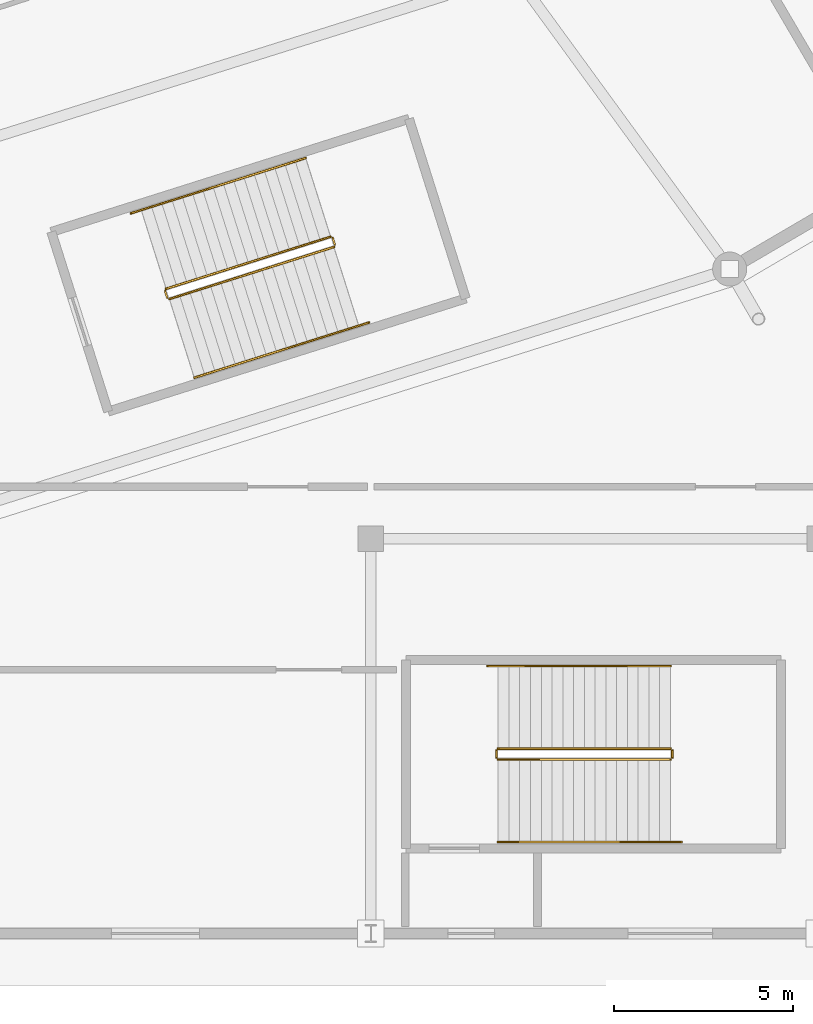
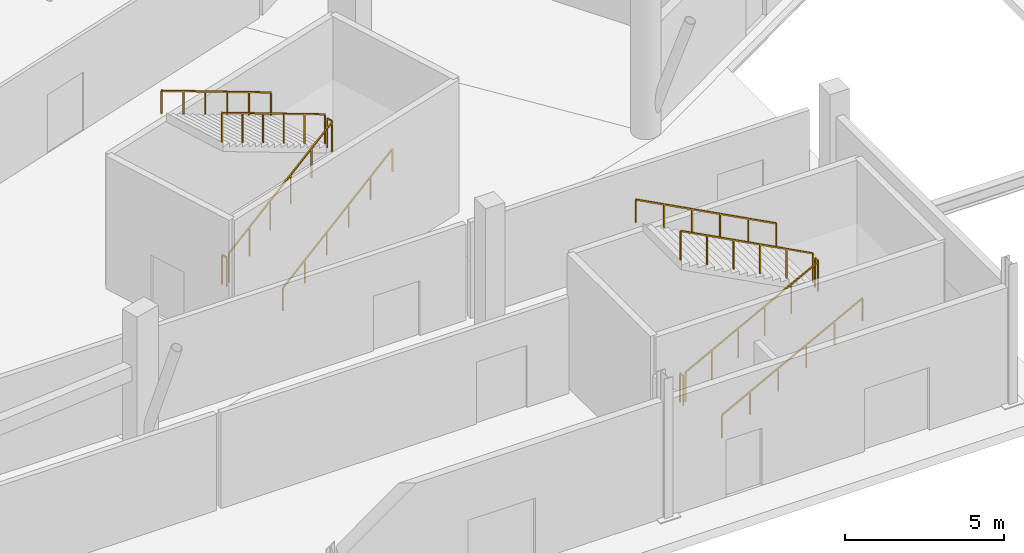
# One storey, part 68 of 82: 12 railings.
"""IFC4 building model written with IfcOpenShell, lengths in metres."""

import ifcopenshell
import ifcopenshell.guid

model = None  # the IFC model being written
_history = None  # IfcOwnerHistory: only IFC2X3 demands one
_inside = {}  # id of a spatial element -> (the spatial element, [elements in it])
_under = {}  # id of a project, library or spatial element -> (it, [spatial elements below it])
_declared = {}  # id of a project -> (the project, [libraries it declares])
_typed = {}  # id of a type object -> (the type object, [elements of that type])
_made_of = {}  # id of a material, layer set ... -> (it, [elements and type objects made of it])


def new_model(schema):
    """Start an empty IFC model of exactly this schema.

    Asked for "IFC4X3", IfcOpenShell would pick the latest addendum, in which some entities
    have other attributes; the version numbers below select the first issue.
    IFC2X3 requires an IfcOwnerHistory on every rooted entity: one is made here for all.
    """
    global model, _history
    if schema == "IFC4X3":
        model = ifcopenshell.file(schema_version=(4, 3, 0, 0))
    else:
        model = ifcopenshell.file(schema=schema)
    _inside.clear()
    _under.clear()
    _declared.clear()
    _typed.clear()
    _made_of.clear()
    _history = None
    if model.schema == "IFC2X3":
        org = make("IfcOrganization", Name="unknown")
        user = make(
            "IfcPersonAndOrganization",
            ThePerson=make("IfcPerson", FamilyName="unknown"),
            TheOrganization=org,
        )
        app = make(
            "IfcApplication",
            ApplicationDeveloper=org,
            Version="unknown",
            ApplicationFullName="unknown",
            ApplicationIdentifier="unknown",
        )
        _history = make(
            "IfcOwnerHistory",
            OwningUser=user,
            OwningApplication=app,
            ChangeAction="ADDED",
            CreationDate=0,
        )
    return model


def make(cls, **values):
    """One entity of the class cls with the attributes given. An attribute that is None is left unset."""
    return model.create_entity(
        cls, **{name: value for name, value in values.items() if value is not None}
    )


def rooted(cls, **values):
    """An entity with a GlobalId (a new one), such as an element, a storey or a relation."""
    return make(cls, GlobalId=ifcopenshell.guid.new(), OwnerHistory=_history, **values)


def si_unit(unit_type, name, prefix=None):
    """IfcSIUnit, for example si_unit("LENGTHUNIT", "METRE", prefix="MILLI")."""
    return make("IfcSIUnit", UnitType=unit_type, Prefix=prefix, Name=name)


def assignment(units):
    """IfcUnitAssignment: the units of a project."""
    return None if units is None else make("IfcUnitAssignment", Units=units)


def point(xyz):
    """IfcCartesianPoint."""
    return None if xyz is None else make("IfcCartesianPoint", Coordinates=xyz)


def direction(xyz):
    """IfcDirection."""
    return None if xyz is None else make("IfcDirection", DirectionRatios=xyz)


def frame(location, z_axis=None, x_axis=None):
    """IfcAxis2Placement3D, a coordinate frame: its origin and axes. An axis left out is left unset."""
    return make(
        "IfcAxis2Placement3D",
        Location=point(location),
        Axis=direction(z_axis),
        RefDirection=direction(x_axis),
    )


def frame_2d(location, x_axis=None):
    """IfcAxis2Placement2D, a coordinate frame in the plane: its origin and x axis."""
    return make(
        "IfcAxis2Placement2D", Location=point(location), RefDirection=direction(x_axis)
    )


def origin():
    """The frame at (0, 0, 0) with its axes left unset."""
    return frame((0.0, 0.0, 0.0))


def origin_2d():
    """The frame at (0, 0) in the plane with its x axis left unset."""
    return frame_2d((0.0, 0.0))


def place(relative_to, where):
    """IfcLocalPlacement: puts the frame where relative to a parent placement (None: the world)."""
    return make(
        "IfcLocalPlacement", PlacementRelTo=relative_to, RelativePlacement=where
    )


def context(
    kind, dimensions, precision=None, world=None, true_north=None, identifier=None
):
    """IfcGeometricRepresentationContext, for example the 3D "Model" context."""
    return make(
        "IfcGeometricRepresentationContext",
        ContextIdentifier=identifier,
        ContextType=kind,
        CoordinateSpaceDimension=dimensions,
        Precision=precision,
        WorldCoordinateSystem=world,
        TrueNorth=true_north,
    )


def subcontext(parent, identifier, kind, view, scale=None):
    """IfcGeometricRepresentationSubContext, for example "Body" below "Model"."""
    return make(
        "IfcGeometricRepresentationSubContext",
        ContextIdentifier=identifier,
        ContextType=kind,
        ParentContext=parent,
        TargetScale=scale,
        TargetView=view,
    )


def project(units=None, contexts=None):
    """IfcProject with its units and contexts."""
    return rooted(
        "IfcProject",
        Name="project",
        RepresentationContexts=contexts,
        UnitsInContext=assignment(units),
    )


def spatial(cls, under=None, at=None, **own):
    """A site, building, storey or space (cls), placed at a placement, below another one or the project."""
    s = rooted(cls, ObjectPlacement=at, **own)
    if under is not None:
        _under.setdefault(under.id(), (under, []))[1].append(s)
    return s


def profile(cls, at=None, kind="AREA", **sizes):
    """A parametric profile (cls). Its sizes go by their IFC names, for example OverallWidth=200.0."""
    return make(cls, ProfileType=kind, Position=at, **sizes)


def rectangle(**sizes):
    """IfcRectangleProfileDef."""
    return profile("IfcRectangleProfileDef", **sizes)


def extrude(swept, where, along, depth):
    """IfcExtrudedAreaSolid: the profile swept, set in the frame where, extruded along a direction by depth."""
    return make(
        "IfcExtrudedAreaSolid",
        SweptArea=swept,
        Position=where,
        ExtrudedDirection=direction(along),
        Depth=depth,
    )


def shape(context_of_items, identifier, shape_type, items):
    """IfcShapeRepresentation: the items that make up one representation, for example the "Body"."""
    return make(
        "IfcShapeRepresentation",
        ContextOfItems=context_of_items,
        RepresentationIdentifier=identifier,
        RepresentationType=shape_type,
        Items=items,
    )


def material(Name=None, Category=None):
    """IfcMaterial."""
    return make("IfcMaterial", Name=Name, Category=Category)


def made_of(thing, what):
    """Note that an element or type object is made of a material, layer set ...; save() writes the relation."""
    if what is not None:
        _made_of.setdefault(what.id(), (what, []))[1].append(thing)
    return thing


def type_object(cls, material=None, **own):
    """A type object (cls), such as IfcWallType, which elements share."""
    return made_of(rooted(cls, **own), material)


def element(
    cls,
    number,
    at=None,
    inside=None,
    cuts=None,
    type_object=None,
    material=None,
    context=None,
    identifier="Body",
    shape_type=None,
    held_by="IfcProductDefinitionShape",
    body=None,
    shapes=None,
    **own,
):
    """One element of the class cls, such as IfcWall. Its Tag is "e" and its number.

    at: its placement. inside: the storey or other place that contains it. cuts: it is an
    opening in that element (IfcRelVoidsElement). A single representation is given by context,
    identifier, shape_type and body (its items); several are given by shapes. held_by: the class
    of the entity that holds the representations. save() writes the other relations.
    """
    e = rooted(cls, Tag="e%d" % number, ObjectPlacement=at, **own)
    if body is not None:
        shapes = [shape(context, identifier, shape_type, body)]
    if shapes is not None:
        e.Representation = make(held_by, Representations=shapes)
    if inside is not None:
        _inside.setdefault(inside.id(), (inside, []))[1].append(e)
    if cuts is not None:
        rooted(
            "IfcRelVoidsElement", RelatingBuildingElement=cuts, RelatedOpeningElement=e
        )
    if type_object is not None:
        _typed.setdefault(type_object.id(), (type_object, []))[1].append(e)
    return made_of(e, material)


def aggregate(whole, parts):
    """IfcRelAggregates: a whole, such as a stair, and the parts it consists of."""
    return rooted("IfcRelAggregates", RelatingObject=whole, RelatedObjects=parts)


def save(model, path):
    """Write the relations noted so far, then the file.

    IfcRelAggregates (storeys below a building ...), IfcRelContainedInSpatialStructure (elements
    in a storey), IfcRelDefinesByType, IfcRelAssociatesMaterial and IfcRelDeclares: one each for
    every whole, place, type object, material and project.
    """
    for whole, parts in _under.values():
        aggregate(whole, parts)
    for where, things in _inside.values():
        rooted(
            "IfcRelContainedInSpatialStructure",
            RelatedElements=things,
            RelatingStructure=where,
        )
    for kind, things in _typed.values():
        rooted("IfcRelDefinesByType", RelatedObjects=things, RelatingType=kind)
    for what, things in _made_of.values():
        rooted("IfcRelAssociatesMaterial", RelatedObjects=things, RelatingMaterial=what)
    for by, libraries in _declared.values():
        rooted("IfcRelDeclares", RelatingContext=by, RelatedDefinitions=libraries)
    model.write(path)


model = new_model("IFC4")

# Units and contexts
model_context = context("Model", 3, precision=1e-05, world=origin(), true_north=direction((0.0, 1.0)))
body_context = subcontext(model_context, "Body", "Model", "MODEL_VIEW")
ifc_project = project(units=[si_unit("LENGTHUNIT", "METRE"), si_unit("AREAUNIT", "SQUARE_METRE"), si_unit("VOLUMEUNIT", "CUBIC_METRE"), si_unit("PLANEANGLEUNIT", "RADIAN"), si_unit("MASSUNIT", "GRAM", prefix="KILO")], contexts=[model_context])

# Site, building, storey
site_placement = place(None, origin())
site = spatial("IfcSite", under=ifc_project, at=site_placement, CompositionType="ELEMENT")
building_placement = place(site_placement, origin())
building = spatial("IfcBuilding", under=site, at=building_placement, Name="Zlatoyarsky Gate Stadium", CompositionType="ELEMENT")
storey_placement = place(building_placement, origin())
storey = spatial("IfcBuildingStorey", under=building, at=storey_placement, Name="L00", CompositionType="ELEMENT", Elevation=0.0)

# Railings
ifc_material_1 = material(Name="Powder-coated steel stair guardrail", Category="steel")
railing_type_1 = type_object("IfcRailingType", Name="PAINTED STEEL STAIR WELL GUARDRAIL 1150", PredefinedType="GUARDRAIL", material=ifc_material_1)
railing_1_placement = place(storey_placement, frame((141.891357421875, 17.678466796875, 0.158935546875)))
element("IfcRailing", 1, at=railing_1_placement, inside=storey, type_object=railing_type_1, Name="ST-16 L00 stair guard 1", PredefinedType="GUARDRAIL", context=body_context, shape_type="SweptSolid", body=[
    extrude(rectangle(XDim=0.048095703125, YDim=0.048095703125, at=origin_2d()), frame((0.0, 0.0, 1.1259765625), z_axis=(0.842672050096, 0.266476043581, 0.467861447637), x_axis=(-0.301511080938, 0.953462672616, 0.0)), (0.0, 0.0, 1.0), 5.43115234375),
    extrude(rectangle(XDim=0.0419921875, YDim=0.0419921875, at=origin_2d()), origin(), (0.0, 0.0, 1.0), 1.101806640625),
    extrude(rectangle(XDim=0.0419921875, YDim=0.0419921875, at=origin_2d()), frame((0.915283203125, 0.28955078125, 0.50830078125)), (0.0, 0.0, 1.0), 1.101806640625),
    extrude(rectangle(XDim=0.0419921875, YDim=0.0419921875, at=origin_2d()), frame((1.83056640625, 0.578857421875, 1.016357421875)), (0.0, 0.0, 1.0), 1.101806640625),
    extrude(rectangle(XDim=0.0419921875, YDim=0.0419921875, at=origin_2d()), frame((2.74609375, 0.868408203125, 1.524658203125)), (0.0, 0.0, 1.0), 1.101806640625),
    extrude(rectangle(XDim=0.0419921875, YDim=0.0419921875, at=origin_2d()), frame((3.661376953125, 1.15771484375, 2.03271484375)), (0.0, 0.0, 1.0), 1.101806640625),
    extrude(rectangle(XDim=0.0419921875, YDim=0.0419921875, at=origin_2d()), frame((4.57666015625, 1.447265625, 2.541015625)), (0.0, 0.0, 1.0), 1.101806640625),
])
railing_2_placement = place(storey_placement, frame((146.500732421875, 19.1884765625, 2.699951171875)))
element("IfcRailing", 2, at=railing_2_placement, inside=storey, type_object=railing_type_1, Name="ST-16 L00 stair guard 2", PredefinedType="GUARDRAIL", context=body_context, shape_type="SweptSolid", body=[
    extrude(rectangle(XDim=0.048095703125, YDim=0.048095703125, at=origin_2d()), frame((0.0, 0.0, 1.1259765625), z_axis=(-0.301540327315, 0.953453423615, 0.0), x_axis=(-0.953453423615, -0.301540327315, 0.0)), (0.0, 0.0, 1.0), 0.199951171875),
    extrude(rectangle(XDim=0.0419921875, YDim=0.0419921875, at=origin_2d()), origin(), (0.0, 0.0, 1.0), 1.101806640625),
    extrude(rectangle(XDim=0.0419921875, YDim=0.0419921875, at=origin_2d()), frame((-0.060302734375, 0.190673828125, 0.0)), (0.0, 0.0, 1.0), 1.101806640625),
])
railing_3_placement = place(storey_placement, frame((146.377685546875, 19.41162109375, 2.85888671875)))
element("IfcRailing", 3, at=railing_3_placement, inside=storey, type_object=railing_type_1, Name="ST-16 L00 stair guard 3", PredefinedType="GUARDRAIL", context=body_context, shape_type="SweptSolid", body=[
    extrude(rectangle(XDim=0.048095703125, YDim=0.048095703125, at=origin_2d()), frame((0.0, 0.0, 1.1259765625), z_axis=(-0.842672050096, -0.266476043581, 0.467861447637), x_axis=(0.301511080938, -0.953462672616, 0.0)), (0.0, 0.0, 1.0), 5.43115234375),
    extrude(rectangle(XDim=0.0419921875, YDim=0.0419921875, at=origin_2d()), origin(), (0.0, 0.0, 1.0), 1.101806640625),
    extrude(rectangle(XDim=0.0419921875, YDim=0.0419921875, at=origin_2d()), frame((-0.915283203125, -0.28955078125, 0.50830078125)), (0.0, 0.0, 1.0), 1.101806640625),
    extrude(rectangle(XDim=0.0419921875, YDim=0.0419921875, at=origin_2d()), frame((-1.83056640625, -0.578857421875, 1.016357421875)), (0.0, 0.0, 1.0), 1.101806640625),
    extrude(rectangle(XDim=0.0419921875, YDim=0.0419921875, at=origin_2d()), frame((-2.74609375, -0.868408203125, 1.524658203125)), (0.0, 0.0, 1.0), 1.101806640625),
    extrude(rectangle(XDim=0.0419921875, YDim=0.0419921875, at=origin_2d()), frame((-3.661376953125, -1.15771484375, 2.03271484375)), (0.0, 0.0, 1.0), 1.101806640625),
    extrude(rectangle(XDim=0.0419921875, YDim=0.0419921875, at=origin_2d()), frame((-4.57666015625, -1.447265625, 2.541015625)), (0.0, 0.0, 1.0), 1.101806640625),
])
railing_4_placement = place(storey_placement, frame((141.82861328125, 17.7109375, 0.0)))
element("IfcRailing", 4, at=railing_4_placement, inside=storey, type_object=railing_type_1, Name="ST-16 L00 stair guard 4", PredefinedType="GUARDRAIL", context=body_context, shape_type="SweptSolid", body=[
    extrude(rectangle(XDim=0.048095703125, YDim=0.048095703125, at=origin_2d()), frame((0.0, 0.0, 1.1259765625), z_axis=(-0.301540327315, 0.953453423615, 0.0), x_axis=(-0.953453423615, -0.301540327315, 0.0)), (0.0, 0.0, 1.0), 0.199951171875),
    extrude(rectangle(XDim=0.0419921875, YDim=0.0419921875, at=origin_2d()), origin(), (0.0, 0.0, 1.0), 1.101806640625),
    extrude(rectangle(XDim=0.0419921875, YDim=0.0419921875, at=origin_2d()), frame((-0.060302734375, 0.190673828125, 0.0)), (0.0, 0.0, 1.0), 1.101806640625),
])
railing_5_placement = place(storey_placement, frame((151.050048828125, 4.85009765625, 0.158935546875)))
element("IfcRailing", 5, at=railing_5_placement, inside=storey, type_object=railing_type_1, Name="ST-30 L00 stair guard 1", PredefinedType="GUARDRAIL", context=body_context, shape_type="SweptSolid", body=[
    extrude(rectangle(XDim=0.048095703125, YDim=0.048095703125, at=origin_2d()), frame((0.0, 0.0, 1.1259765625), z_axis=(0.883802130504, 0.0, 0.467860870469), x_axis=(0.0, 1.0, 0.0)), (0.0, 0.0, 1.0), 5.43115234375),
    extrude(rectangle(XDim=0.0419921875, YDim=0.0419921875, at=origin_2d()), origin(), (0.0, 0.0, 1.0), 1.101806640625),
    extrude(rectangle(XDim=0.0419921875, YDim=0.0419921875, at=origin_2d()), frame((0.9599609375, 0.0, 0.50830078125)), (0.0, 0.0, 1.0), 1.101806640625),
    extrude(rectangle(XDim=0.0419921875, YDim=0.0419921875, at=origin_2d()), frame((1.919921875, 0.0, 1.016357421875)), (0.0, 0.0, 1.0), 1.101806640625),
    extrude(rectangle(XDim=0.0419921875, YDim=0.0419921875, at=origin_2d()), frame((2.880126953125, 0.0, 1.524658203125)), (0.0, 0.0, 1.0), 1.101806640625),
    extrude(rectangle(XDim=0.0419921875, YDim=0.0419921875, at=origin_2d()), frame((3.840087890625, 0.0, 2.03271484375)), (0.0, 0.0, 1.0), 1.101806640625),
    extrude(rectangle(XDim=0.0419921875, YDim=0.0419921875, at=origin_2d()), frame((4.800048828125, 0.0, 2.541015625)), (0.0, 0.0, 1.0), 1.101806640625),
])
railing_6_placement = place(storey_placement, frame((155.89990234375, 4.89990234375, 2.699951171875)))
element("IfcRailing", 6, at=railing_6_placement, inside=storey, type_object=railing_type_1, Name="ST-30 L00 stair guard 2", PredefinedType="GUARDRAIL", context=body_context, shape_type="SweptSolid", body=[
    extrude(rectangle(XDim=0.048095703125, YDim=0.048095703125, at=origin_2d()), frame((0.0, 0.0, 1.1259765625), z_axis=(0.0, 1.0, 0.0), x_axis=(-1.0, 0.0, 0.0)), (0.0, 0.0, 1.0), 0.2001953125),
    extrude(rectangle(XDim=0.0419921875, YDim=0.0419921875, at=origin_2d()), origin(), (0.0, 0.0, 1.0), 1.101806640625),
    extrude(rectangle(XDim=0.0419921875, YDim=0.0419921875, at=origin_2d()), frame((0.0, 0.2001953125, 0.0)), (0.0, 0.0, 1.0), 1.101806640625),
])
railing_7_placement = place(storey_placement, frame((155.85009765625, 5.14990234375, 2.85888671875)))
element("IfcRailing", 7, at=railing_7_placement, inside=storey, type_object=railing_type_1, Name="ST-30 L00 stair guard 3", PredefinedType="GUARDRAIL", context=body_context, shape_type="SweptSolid", body=[
    extrude(rectangle(XDim=0.048095703125, YDim=0.048095703125, at=origin_2d()), frame((0.0, 0.0, 1.1259765625), z_axis=(-0.883802130504, 0.0, 0.467860870469), x_axis=(0.0, -1.0, 0.0)), (0.0, 0.0, 1.0), 5.43115234375),
    extrude(rectangle(XDim=0.0419921875, YDim=0.0419921875, at=origin_2d()), origin(), (0.0, 0.0, 1.0), 1.101806640625),
    extrude(rectangle(XDim=0.0419921875, YDim=0.0419921875, at=origin_2d()), frame((-0.9599609375, 0.0, 0.50830078125)), (0.0, 0.0, 1.0), 1.101806640625),
    extrude(rectangle(XDim=0.0419921875, YDim=0.0419921875, at=origin_2d()), frame((-1.919921875, 0.0, 1.016357421875)), (0.0, 0.0, 1.0), 1.101806640625),
    extrude(rectangle(XDim=0.0419921875, YDim=0.0419921875, at=origin_2d()), frame((-2.880126953125, 0.0, 1.524658203125)), (0.0, 0.0, 1.0), 1.101806640625),
    extrude(rectangle(XDim=0.0419921875, YDim=0.0419921875, at=origin_2d()), frame((-3.840087890625, 0.0, 2.03271484375)), (0.0, 0.0, 1.0), 1.101806640625),
    extrude(rectangle(XDim=0.0419921875, YDim=0.0419921875, at=origin_2d()), frame((-4.800048828125, 0.0, 2.541015625)), (0.0, 0.0, 1.0), 1.101806640625),
])
railing_8_placement = place(storey_placement, frame((151.0, 4.89990234375, 0.0)))
element("IfcRailing", 8, at=railing_8_placement, inside=storey, type_object=railing_type_1, Name="ST-30 L00 stair guard 4", PredefinedType="GUARDRAIL", context=body_context, shape_type="SweptSolid", body=[
    extrude(rectangle(XDim=0.048095703125, YDim=0.048095703125, at=origin_2d()), frame((0.0, 0.0, 1.1259765625), z_axis=(0.0, 1.0, 0.0), x_axis=(-1.0, 0.0, 0.0)), (0.0, 0.0, 1.0), 0.2001953125),
    extrude(rectangle(XDim=0.0419921875, YDim=0.0419921875, at=origin_2d()), origin(), (0.0, 0.0, 1.0), 1.101806640625),
    extrude(rectangle(XDim=0.0419921875, YDim=0.0419921875, at=origin_2d()), frame((0.0, 0.2001953125, 0.0)), (0.0, 0.0, 1.0), 1.101806640625),
])
ifc_material_2 = material(Name="Brushed stainless steel 316 handrail", Category="steel")
railing_type_2 = type_object("IfcRailingType", Name="STAINLESS STEEL TUBULAR HANDRAIL 900", PredefinedType="HANDRAIL", material=ifc_material_2)
railing_9_placement = place(storey_placement, frame((142.5849609375, 15.4853515625, 0.162841796875)))
element("IfcRailing", 9, at=railing_9_placement, inside=storey, type_object=railing_type_2, Name="ST-16 L00 stair handrail 1", PredefinedType="HANDRAIL", context=body_context, shape_type="SweptSolid", body=[
    extrude(rectangle(XDim=0.048095703125, YDim=0.048095703125, at=origin_2d()), frame((0.0, 0.0, 0.8759765625), z_axis=(0.842651293376, 0.266498995681, 0.46788575857), x_axis=(-0.301541441746, 0.953453071163, 0.0)), (0.0, 0.0, 1.0), 5.7705078125),
    extrude(rectangle(XDim=0.0419921875, YDim=0.0419921875, at=origin_2d()), origin(), (0.0, 0.0, 1.0), 0.851806640625),
    extrude(rectangle(XDim=0.0419921875, YDim=0.0419921875, at=origin_2d()), frame((0.972412109375, 0.3076171875, 0.5400390625)), (0.0, 0.0, 1.0), 0.851806640625),
    extrude(rectangle(XDim=0.0419921875, YDim=0.0419921875, at=origin_2d()), frame((1.945068359375, 0.615234375, 1.080078125)), (0.0, 0.0, 1.0), 0.851806640625),
    extrude(rectangle(XDim=0.0419921875, YDim=0.0419921875, at=origin_2d()), frame((2.91748046875, 0.922607421875, 1.619873046875)), (0.0, 0.0, 1.0), 0.851806640625),
    extrude(rectangle(XDim=0.0419921875, YDim=0.0419921875, at=origin_2d()), frame((3.89013671875, 1.230224609375, 2.159912109375)), (0.0, 0.0, 1.0), 0.851806640625),
    extrude(rectangle(XDim=0.0419921875, YDim=0.0419921875, at=origin_2d()), frame((4.862548828125, 1.537841796875, 2.699951171875)), (0.0, 0.0, 1.0), 0.851806640625),
])
railing_10_placement = place(storey_placement, frame((145.68408203125, 21.604736328125, 2.86279296875)))
element("IfcRailing", 10, at=railing_10_placement, inside=storey, type_object=railing_type_2, Name="ST-16 L00 stair handrail 2", PredefinedType="HANDRAIL", context=body_context, shape_type="SweptSolid", body=[
    extrude(rectangle(XDim=0.048095703125, YDim=0.048095703125, at=origin_2d()), frame((0.0, 0.0, 0.8759765625), z_axis=(-0.842651293376, -0.266498995681, 0.46788575857), x_axis=(0.301541441746, -0.953453071163, 0.0)), (0.0, 0.0, 1.0), 5.7705078125),
    extrude(rectangle(XDim=0.0419921875, YDim=0.0419921875, at=origin_2d()), origin(), (0.0, 0.0, 1.0), 0.851806640625),
    extrude(rectangle(XDim=0.0419921875, YDim=0.0419921875, at=origin_2d()), frame((-0.972412109375, -0.3076171875, 0.5400390625)), (0.0, 0.0, 1.0), 0.851806640625),
    extrude(rectangle(XDim=0.0419921875, YDim=0.0419921875, at=origin_2d()), frame((-1.945068359375, -0.615234375, 1.080078125)), (0.0, 0.0, 1.0), 0.851806640625),
    extrude(rectangle(XDim=0.0419921875, YDim=0.0419921875, at=origin_2d()), frame((-2.91748046875, -0.922607421875, 1.619873046875)), (0.0, 0.0, 1.0), 0.851806640625),
    extrude(rectangle(XDim=0.0419921875, YDim=0.0419921875, at=origin_2d()), frame((-3.89013671875, -1.230224609375, 2.159912109375)), (0.0, 0.0, 1.0), 0.851806640625),
    extrude(rectangle(XDim=0.0419921875, YDim=0.0419921875, at=origin_2d()), frame((-4.862548828125, -1.537841796875, 2.699951171875)), (0.0, 0.0, 1.0), 0.851806640625),
])
railing_11_placement = place(storey_placement, frame((151.050048828125, 2.550048828125, 0.162841796875)))
element("IfcRailing", 11, at=railing_11_placement, inside=storey, type_object=railing_type_2, Name="ST-30 L00 stair handrail 1", PredefinedType="HANDRAIL", context=body_context, shape_type="SweptSolid", body=[
    extrude(rectangle(XDim=0.048095703125, YDim=0.048095703125, at=origin_2d()), frame((0.0, 0.0, 0.8759765625), z_axis=(0.883785858079, 0.0, 0.467891608238), x_axis=(0.0, 1.0, 0.0)), (0.0, 0.0, 1.0), 5.7705078125),
    extrude(rectangle(XDim=0.0419921875, YDim=0.0419921875, at=origin_2d()), origin(), (0.0, 0.0, 1.0), 0.851806640625),
    extrude(rectangle(XDim=0.0419921875, YDim=0.0419921875, at=origin_2d()), frame((1.02001953125, 0.0, 0.5400390625)), (0.0, 0.0, 1.0), 0.851806640625),
    extrude(rectangle(XDim=0.0419921875, YDim=0.0419921875, at=origin_2d()), frame((2.0400390625, 0.0, 1.080078125)), (0.0, 0.0, 1.0), 0.851806640625),
    extrude(rectangle(XDim=0.0419921875, YDim=0.0419921875, at=origin_2d()), frame((3.059814453125, 0.0, 1.619873046875)), (0.0, 0.0, 1.0), 0.851806640625),
    extrude(rectangle(XDim=0.0419921875, YDim=0.0419921875, at=origin_2d()), frame((4.079833984375, 0.0, 2.159912109375)), (0.0, 0.0, 1.0), 0.851806640625),
    extrude(rectangle(XDim=0.0419921875, YDim=0.0419921875, at=origin_2d()), frame((5.099853515625, 0.0, 2.699951171875)), (0.0, 0.0, 1.0), 0.851806640625),
])
railing_12_placement = place(storey_placement, frame((155.85009765625, 7.449951171875, 2.86279296875)))
element("IfcRailing", 12, at=railing_12_placement, inside=storey, type_object=railing_type_2, Name="ST-30 L00 stair handrail 2", PredefinedType="HANDRAIL", context=body_context, shape_type="SweptSolid", body=[
    extrude(rectangle(XDim=0.048095703125, YDim=0.048095703125, at=origin_2d()), frame((0.0, 0.0, 0.8759765625), z_axis=(-0.883795119882, 0.0, 0.467874113489), x_axis=(0.0, -1.0, 0.0)), (0.0, 0.0, 1.0), 5.770751953125),
    extrude(rectangle(XDim=0.0419921875, YDim=0.0419921875, at=origin_2d()), origin(), (0.0, 0.0, 1.0), 0.851806640625),
    extrude(rectangle(XDim=0.0419921875, YDim=0.0419921875, at=origin_2d()), frame((-1.02001953125, 0.0, 0.5400390625)), (0.0, 0.0, 1.0), 0.851806640625),
    extrude(rectangle(XDim=0.0419921875, YDim=0.0419921875, at=origin_2d()), frame((-2.0400390625, 0.0, 1.080078125)), (0.0, 0.0, 1.0), 0.851806640625),
    extrude(rectangle(XDim=0.0419921875, YDim=0.0419921875, at=origin_2d()), frame((-3.06005859375, 0.0, 1.619873046875)), (0.0, 0.0, 1.0), 0.851806640625),
    extrude(rectangle(XDim=0.0419921875, YDim=0.0419921875, at=origin_2d()), frame((-4.080078125, 0.0, 2.159912109375)), (0.0, 0.0, 1.0), 0.851806640625),
    extrude(rectangle(XDim=0.0419921875, YDim=0.0419921875, at=origin_2d()), frame((-5.10009765625, 0.0, 2.699951171875)), (0.0, 0.0, 1.0), 0.851806640625),
])

save(model, "model.ifc")
